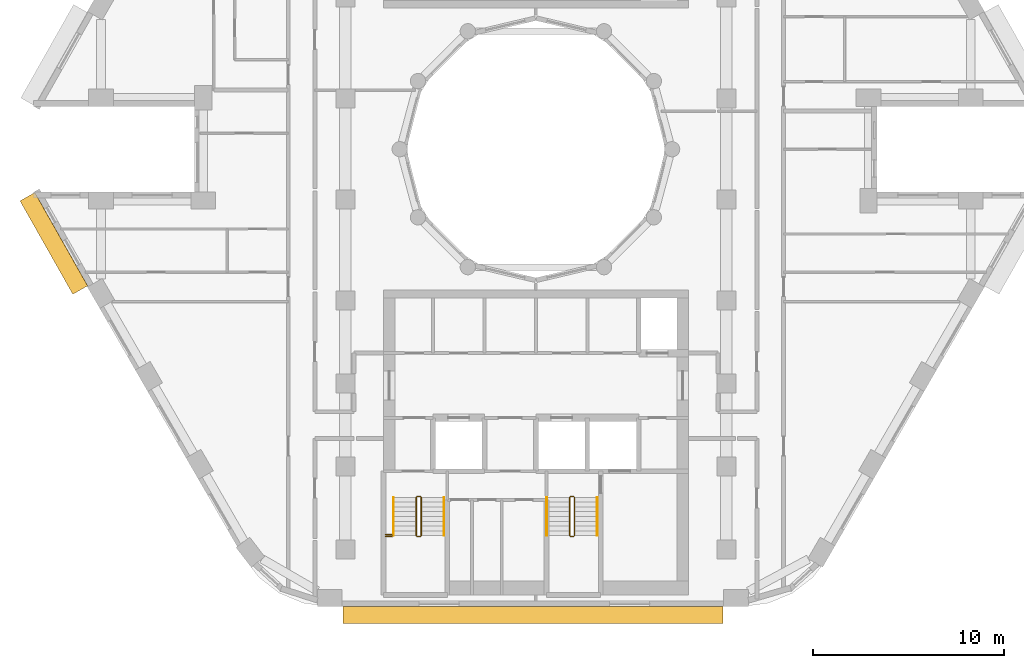
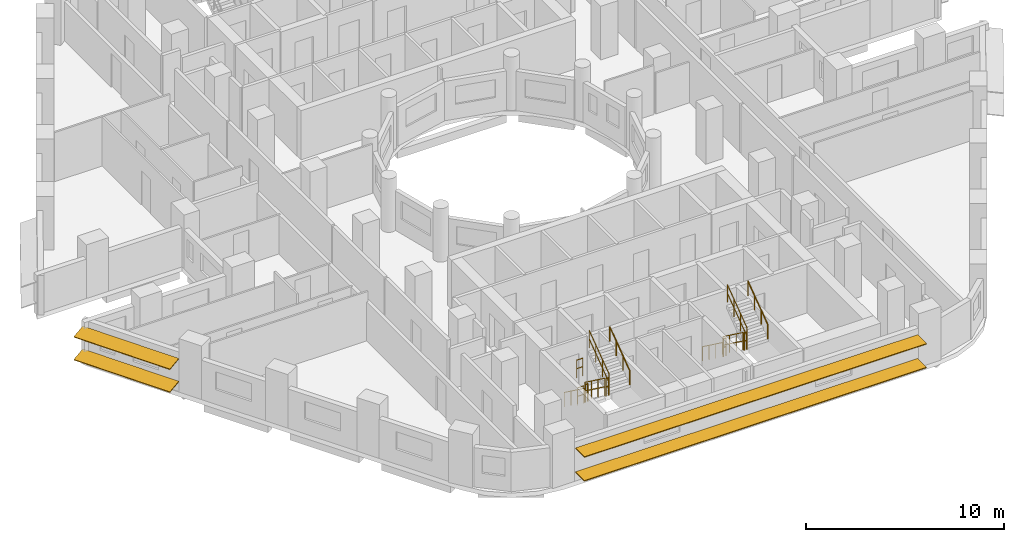
# One storey, part 12 of 14: 14 railings, 4 shading devices.
"""IFC4 building model written with IfcOpenShell, lengths in metres."""

from ifc_helpers import new_model, si_unit, direction, frame, origin, origin_2d, place, context, subcontext, project, spatial, rectangle, circle, extrude, material, material_profile, profile_set, type_object, element, save


model = new_model("IFC4")

# Units and contexts
model_context = context("Model", 3, precision=1e-05, world=origin(), true_north=direction((0.0, 1.0)))
body_context = subcontext(model_context, "Body", "Model", "MODEL_VIEW")
ifc_project = project(units=[si_unit("LENGTHUNIT", "METRE"), si_unit("AREAUNIT", "SQUARE_METRE"), si_unit("VOLUMEUNIT", "CUBIC_METRE"), si_unit("PLANEANGLEUNIT", "RADIAN"), si_unit("MASSUNIT", "GRAM", prefix="KILO")], contexts=[model_context])

# Site, building, storey
site_placement = place(None, origin())
site = spatial("IfcSite", under=ifc_project, at=site_placement, CompositionType="ELEMENT")
building_placement = place(site_placement, origin())
building = spatial("IfcBuilding", under=site, at=building_placement, Name="Nakaniwa Court", CompositionType="ELEMENT")
storey_placement = place(building_placement, frame((0.0, 0.0, 163.5)))
storey = spatial("IfcBuildingStorey", under=building, at=storey_placement, Name="L43", CompositionType="ELEMENT", Elevation=163.5)

# Shading devices
ifc_material_1 = material(Name="Perforated charcoal ceramic louvre blade")
ifc_material_profile = material_profile(ifc_material_1, rectangle(XDim=0.89990234375, YDim=0.050048828125, at=origin_2d()), Name="Perforated ceramic louvre blade")
ifc_profile_set = profile_set([ifc_material_profile], Name="Perforated charcoal ceramic louvre blade")
shading_device_type = type_object("IfcShadingDeviceType", Name="Perforated ceramic louvre blade", PredefinedType="JALOUSIE", material=ifc_profile_set)
for number, where, z_axis, x_axis, name in (
    (1, (53.31689453125, 77.5078125, 0.550048828125), (0.49253187421, -0.870294405869, 0.0), (0.862649339692, 0.488205247786, 0.132256390257), "L43 perforated ceramic louvre blade w20 1"),
    (2, (53.31689453125, 77.5078125, 1.955810546875), (0.49253187421, -0.870294405869, 0.0), (0.862649339692, 0.488205247786, 0.132256390257), "L43 perforated ceramic louvre blade w20 2"),
):
    element("IfcShadingDevice", number, at=place(storey_placement, frame(where, z_axis=z_axis, x_axis=x_axis)), inside=storey, type_object=shading_device_type, Name=name, PredefinedType="JALOUSIE", context=body_context, shape_type="SweptSolid", body=[
        extrude(rectangle(XDim=0.89990234375, YDim=0.050048828125, at=origin_2d()), origin(), (0.0, 0.0, 1.0), 5.62646484375),
    ])
for number, where, z_axis, x_axis, name in (
    (3, (69.871337890625, 55.550048828125, 0.550048828125), (1.0, 0.0, 0.0), (0.0, 1.0, 0.0), "L43 perforated ceramic louvre blade w26 1"),
    (4, (69.871337890625, 55.550048828125, 2.014892578125), (1.0, 0.0, 0.0), (0.0, 1.0, 0.0), "L43 perforated ceramic louvre blade w26 2"),
):
    element("IfcShadingDevice", number, at=place(storey_placement, frame(where, z_axis=z_axis, x_axis=x_axis)), inside=storey, type_object=shading_device_type, Name=name, PredefinedType="JALOUSIE", context=body_context, shape_type="SweptSolid", body=[
        extrude(rectangle(XDim=0.89990234375, YDim=0.050048828125, at=origin_2d()), origin(), (0.0, 0.0, 1.0), 19.939697265625),
    ])

# Railings
ifc_material_2 = material(Name="Black powder coated steel guard", Category="steel")
railing_type_1 = type_object("IfcRailingType", Name="Stair guard 1100", PredefinedType="GUARDRAIL", material=ifc_material_2)
railing_1_placement = place(storey_placement, frame((73.72509765625, 61.72509765625, 0.183349609375)))
element("IfcRailing", 5, at=railing_1_placement, inside=storey, type_object=railing_type_1, Name="L43 ST3 stair guard 1", PredefinedType="GUARDRAIL", context=body_context, shape_type="SweptSolid", body=[
    extrude(circle(Radius=0.02392578125, at=origin_2d()), frame((0.0, 0.0, 1.076171875), z_axis=(0.0, -0.806426902644, 0.591333789573), x_axis=(1.0, 0.0, 0.0)), (0.0, 0.0, 1.0), 2.47998046875),
    extrude(circle(Radius=0.02392578125, at=origin_2d()), frame((0.0, 0.0, 0.550048828125), z_axis=(0.0, -0.806426902644, 0.591333789573), x_axis=(1.0, 0.0, 0.0)), (0.0, 0.0, 1.0), 2.47998046875),
    extrude(circle(Radius=0.02099609375, at=origin_2d()), origin(), (0.0, 0.0, 1.0), 1.052001953125),
    extrude(circle(Radius=0.02099609375, at=origin_2d()), frame((0.0, -0.666748046875, 0.48876953125)), (0.0, 0.0, 1.0), 1.052001953125),
    extrude(circle(Radius=0.02099609375, at=origin_2d()), frame((0.0, -1.333251953125, 0.977783203125)), (0.0, 0.0, 1.0), 1.052001953125),
    extrude(circle(Radius=0.02099609375, at=origin_2d()), frame((0.0, -2.0, 1.466552734375)), (0.0, 0.0, 1.0), 1.052001953125),
])
railing_2_placement = place(storey_placement, frame((73.77490234375, 59.675048828125, 1.64990234375)))
element("IfcRailing", 6, at=railing_2_placement, inside=storey, type_object=railing_type_1, Name="L43 ST3 stair guard 2", PredefinedType="GUARDRAIL", context=body_context, shape_type="SweptSolid", body=[
    extrude(circle(Radius=0.02392578125, at=origin_2d()), frame((0.0, 0.0, 1.076171875), z_axis=(1.0, 0.0, 0.0), x_axis=(0.0, 1.0, 0.0)), (0.0, 0.0, 1.0), 0.150146484375),
    extrude(circle(Radius=0.02392578125, at=origin_2d()), frame((0.0, 0.0, 0.550048828125), z_axis=(1.0, 0.0, 0.0), x_axis=(0.0, 1.0, 0.0)), (0.0, 0.0, 1.0), 0.150146484375),
    extrude(circle(Radius=0.02099609375, at=origin_2d()), origin(), (0.0, 0.0, 1.0), 1.052001953125),
    extrude(circle(Radius=0.02099609375, at=origin_2d()), frame((0.150146484375, 0.0, 0.0)), (0.0, 0.0, 1.0), 1.052001953125),
])
railing_3_placement = place(storey_placement, frame((73.97509765625, 59.72509765625, 1.833251953125)))
element("IfcRailing", 7, at=railing_3_placement, inside=storey, type_object=railing_type_1, Name="L43 ST3 stair guard 3", PredefinedType="GUARDRAIL", context=body_context, shape_type="SweptSolid", body=[
    extrude(circle(Radius=0.02392578125, at=origin_2d()), frame((0.0, 0.0, 1.076171875), z_axis=(0.0, 0.806379959628, 0.591397802423), x_axis=(-1.0, 0.0, 0.0)), (0.0, 0.0, 1.0), 2.480224609375),
    extrude(circle(Radius=0.02392578125, at=origin_2d()), frame((0.0, 0.0, 0.550048828125), z_axis=(0.0, 0.806379959628, 0.591397802423), x_axis=(-1.0, 0.0, 0.0)), (0.0, 0.0, 1.0), 2.480224609375),
    extrude(circle(Radius=0.02099609375, at=origin_2d()), origin(), (0.0, 0.0, 1.0), 1.052001953125),
    extrude(circle(Radius=0.02099609375, at=origin_2d()), frame((0.0, 0.666748046875, 0.489013671875)), (0.0, 0.0, 1.0), 1.052001953125),
    extrude(circle(Radius=0.02099609375, at=origin_2d()), frame((0.0, 1.333251953125, 0.977783203125)), (0.0, 0.0, 1.0), 1.052001953125),
    extrude(circle(Radius=0.02099609375, at=origin_2d()), frame((0.0, 2.0, 1.466796875)), (0.0, 0.0, 1.0), 1.052001953125),
])
railing_4_placement = place(storey_placement, frame((73.77490234375, 61.77490234375, 0.0)))
element("IfcRailing", 8, at=railing_4_placement, inside=storey, type_object=railing_type_1, Name="L43 ST3 stair guard 4", PredefinedType="GUARDRAIL", context=body_context, shape_type="SweptSolid", body=[
    extrude(circle(Radius=0.02392578125, at=origin_2d()), frame((0.0, 0.0, 1.076171875), z_axis=(1.0, 0.0, 0.0), x_axis=(0.0, 1.0, 0.0)), (0.0, 0.0, 1.0), 0.150146484375),
    extrude(circle(Radius=0.02392578125, at=origin_2d()), frame((0.0, 0.0, 0.550048828125), z_axis=(1.0, 0.0, 0.0), x_axis=(0.0, 1.0, 0.0)), (0.0, 0.0, 1.0), 0.150146484375),
    extrude(circle(Radius=0.02099609375, at=origin_2d()), origin(), (0.0, 0.0, 1.0), 1.052001953125),
    extrude(circle(Radius=0.02099609375, at=origin_2d()), frame((0.150146484375, 0.0, 0.0)), (0.0, 0.0, 1.0), 1.052001953125),
])
for number, where, name in (
    (9, (72.125, 59.675048828125, 1.64990234375), "L43 ST3 landing side guard 1W"),
    (10, (72.125, 59.77490234375, 3.300048828125), "L43 ST3 floor edge guard 1W"),
):
    element("IfcRailing", number, at=place(storey_placement, frame(where)), inside=storey, type_object=railing_type_1, Name=name, PredefinedType="GUARDRAIL", context=body_context, shape_type="SweptSolid", body=[
        extrude(circle(Radius=0.02392578125, at=origin_2d()), frame((0.0, 0.0, 1.076171875), z_axis=(1.0, 0.0, 0.0), x_axis=(0.0, 1.0, 0.0)), (0.0, 0.0, 1.0), 0.35009765625),
        extrude(circle(Radius=0.02392578125, at=origin_2d()), frame((0.0, 0.0, 0.550048828125), z_axis=(1.0, 0.0, 0.0), x_axis=(0.0, 1.0, 0.0)), (0.0, 0.0, 1.0), 0.35009765625),
        extrude(circle(Radius=0.02099609375, at=origin_2d()), origin(), (0.0, 0.0, 1.0), 1.052001953125),
        extrude(circle(Radius=0.02099609375, at=origin_2d()), frame((0.35009765625, 0.0, 0.0)), (0.0, 0.0, 1.0), 1.052001953125),
    ])
railing_5_placement = place(storey_placement, frame((81.77490234375, 61.72509765625, 0.183349609375)))
element("IfcRailing", 11, at=railing_5_placement, inside=storey, type_object=railing_type_1, Name="L43 ST4 stair guard 1", PredefinedType="GUARDRAIL", context=body_context, shape_type="SweptSolid", body=[
    extrude(circle(Radius=0.02392578125, at=origin_2d()), frame((0.0, 0.0, 1.076171875), z_axis=(0.0, -0.806426902644, 0.591333789573), x_axis=(1.0, 0.0, 0.0)), (0.0, 0.0, 1.0), 2.47998046875),
    extrude(circle(Radius=0.02392578125, at=origin_2d()), frame((0.0, 0.0, 0.550048828125), z_axis=(0.0, -0.806426902644, 0.591333789573), x_axis=(1.0, 0.0, 0.0)), (0.0, 0.0, 1.0), 2.47998046875),
    extrude(circle(Radius=0.02099609375, at=origin_2d()), origin(), (0.0, 0.0, 1.0), 1.052001953125),
    extrude(circle(Radius=0.02099609375, at=origin_2d()), frame((0.0, -0.666748046875, 0.48876953125)), (0.0, 0.0, 1.0), 1.052001953125),
    extrude(circle(Radius=0.02099609375, at=origin_2d()), frame((0.0, -1.333251953125, 0.977783203125)), (0.0, 0.0, 1.0), 1.052001953125),
    extrude(circle(Radius=0.02099609375, at=origin_2d()), frame((0.0, -2.0, 1.466552734375)), (0.0, 0.0, 1.0), 1.052001953125),
])
railing_6_placement = place(storey_placement, frame((81.824951171875, 59.675048828125, 1.64990234375)))
element("IfcRailing", 12, at=railing_6_placement, inside=storey, type_object=railing_type_1, Name="L43 ST4 stair guard 2", PredefinedType="GUARDRAIL", context=body_context, shape_type="SweptSolid", body=[
    extrude(circle(Radius=0.02392578125, at=origin_2d()), frame((0.0, 0.0, 1.076171875), z_axis=(1.0, 0.0, 0.0), x_axis=(0.0, 1.0, 0.0)), (0.0, 0.0, 1.0), 0.150146484375),
    extrude(circle(Radius=0.02392578125, at=origin_2d()), frame((0.0, 0.0, 0.550048828125), z_axis=(1.0, 0.0, 0.0), x_axis=(0.0, 1.0, 0.0)), (0.0, 0.0, 1.0), 0.150146484375),
    extrude(circle(Radius=0.02099609375, at=origin_2d()), origin(), (0.0, 0.0, 1.0), 1.052001953125),
    extrude(circle(Radius=0.02099609375, at=origin_2d()), frame((0.150146484375, 0.0, 0.0)), (0.0, 0.0, 1.0), 1.052001953125),
])
railing_7_placement = place(storey_placement, frame((82.02490234375, 59.72509765625, 1.833251953125)))
element("IfcRailing", 13, at=railing_7_placement, inside=storey, type_object=railing_type_1, Name="L43 ST4 stair guard 3", PredefinedType="GUARDRAIL", context=body_context, shape_type="SweptSolid", body=[
    extrude(circle(Radius=0.02392578125, at=origin_2d()), frame((0.0, 0.0, 1.076171875), z_axis=(0.0, 0.806379959628, 0.591397802423), x_axis=(-1.0, 0.0, 0.0)), (0.0, 0.0, 1.0), 2.480224609375),
    extrude(circle(Radius=0.02392578125, at=origin_2d()), frame((0.0, 0.0, 0.550048828125), z_axis=(0.0, 0.806379959628, 0.591397802423), x_axis=(-1.0, 0.0, 0.0)), (0.0, 0.0, 1.0), 2.480224609375),
    extrude(circle(Radius=0.02099609375, at=origin_2d()), origin(), (0.0, 0.0, 1.0), 1.052001953125),
    extrude(circle(Radius=0.02099609375, at=origin_2d()), frame((0.0, 0.666748046875, 0.489013671875)), (0.0, 0.0, 1.0), 1.052001953125),
    extrude(circle(Radius=0.02099609375, at=origin_2d()), frame((0.0, 1.333251953125, 0.977783203125)), (0.0, 0.0, 1.0), 1.052001953125),
    extrude(circle(Radius=0.02099609375, at=origin_2d()), frame((0.0, 2.0, 1.466796875)), (0.0, 0.0, 1.0), 1.052001953125),
])
railing_8_placement = place(storey_placement, frame((81.824951171875, 61.77490234375, 0.0)))
element("IfcRailing", 14, at=railing_8_placement, inside=storey, type_object=railing_type_1, Name="L43 ST4 stair guard 4", PredefinedType="GUARDRAIL", context=body_context, shape_type="SweptSolid", body=[
    extrude(circle(Radius=0.02392578125, at=origin_2d()), frame((0.0, 0.0, 1.076171875), z_axis=(1.0, 0.0, 0.0), x_axis=(0.0, 1.0, 0.0)), (0.0, 0.0, 1.0), 0.150146484375),
    extrude(circle(Radius=0.02392578125, at=origin_2d()), frame((0.0, 0.0, 0.550048828125), z_axis=(1.0, 0.0, 0.0), x_axis=(0.0, 1.0, 0.0)), (0.0, 0.0, 1.0), 0.150146484375),
    extrude(circle(Radius=0.02099609375, at=origin_2d()), origin(), (0.0, 0.0, 1.0), 1.052001953125),
    extrude(circle(Radius=0.02099609375, at=origin_2d()), frame((0.150146484375, 0.0, 0.0)), (0.0, 0.0, 1.0), 1.052001953125),
])
ifc_material_3 = material(Name="Black powder coated steel handrail", Category="steel")
railing_type_2 = type_object("IfcRailingType", Name="Stair handrail 900", PredefinedType="HANDRAIL", material=ifc_material_3)
railing_9_placement = place(storey_placement, frame((72.52490234375, 61.72509765625, 0.183349609375)))
element("IfcRailing", 15, at=railing_9_placement, inside=storey, type_object=railing_type_2, Name="L43 ST3 stair handrail 1", PredefinedType="HANDRAIL", context=body_context, shape_type="SweptSolid", body=[
    extrude(circle(Radius=0.02392578125, at=origin_2d()), frame((0.0, 0.0, 0.8759765625), z_axis=(0.0, -0.806426902644, 0.591333789573), x_axis=(1.0, 0.0, 0.0)), (0.0, 0.0, 1.0), 2.47998046875),
    extrude(circle(Radius=0.02099609375, at=origin_2d()), origin(), (0.0, 0.0, 1.0), 0.851806640625),
    extrude(circle(Radius=0.02099609375, at=origin_2d()), frame((0.0, -0.666748046875, 0.48876953125)), (0.0, 0.0, 1.0), 0.851806640625),
    extrude(circle(Radius=0.02099609375, at=origin_2d()), frame((0.0, -1.333251953125, 0.977783203125)), (0.0, 0.0, 1.0), 0.851806640625),
    extrude(circle(Radius=0.02099609375, at=origin_2d()), frame((0.0, -2.0, 1.466552734375)), (0.0, 0.0, 1.0), 0.851806640625),
])
railing_10_placement = place(storey_placement, frame((75.175048828125, 59.72509765625, 1.833251953125)))
element("IfcRailing", 16, at=railing_10_placement, inside=storey, type_object=railing_type_2, Name="L43 ST3 stair handrail 2", PredefinedType="HANDRAIL", context=body_context, shape_type="SweptSolid", body=[
    extrude(circle(Radius=0.02392578125, at=origin_2d()), frame((0.0, 0.0, 0.8759765625), z_axis=(0.0, 0.806379959628, 0.591397802423), x_axis=(-1.0, 0.0, 0.0)), (0.0, 0.0, 1.0), 2.480224609375),
    extrude(circle(Radius=0.02099609375, at=origin_2d()), origin(), (0.0, 0.0, 1.0), 0.851806640625),
    extrude(circle(Radius=0.02099609375, at=origin_2d()), frame((0.0, 0.666748046875, 0.489013671875)), (0.0, 0.0, 1.0), 0.851806640625),
    extrude(circle(Radius=0.02099609375, at=origin_2d()), frame((0.0, 1.333251953125, 0.977783203125)), (0.0, 0.0, 1.0), 0.851806640625),
    extrude(circle(Radius=0.02099609375, at=origin_2d()), frame((0.0, 2.0, 1.466796875)), (0.0, 0.0, 1.0), 0.851806640625),
])
railing_11_placement = place(storey_placement, frame((80.574951171875, 61.72509765625, 0.183349609375)))
element("IfcRailing", 17, at=railing_11_placement, inside=storey, type_object=railing_type_2, Name="L43 ST4 stair handrail 1", PredefinedType="HANDRAIL", context=body_context, shape_type="SweptSolid", body=[
    extrude(circle(Radius=0.02392578125, at=origin_2d()), frame((0.0, 0.0, 0.8759765625), z_axis=(0.0, -0.806426902644, 0.591333789573), x_axis=(1.0, 0.0, 0.0)), (0.0, 0.0, 1.0), 2.47998046875),
    extrude(circle(Radius=0.02099609375, at=origin_2d()), origin(), (0.0, 0.0, 1.0), 0.851806640625),
    extrude(circle(Radius=0.02099609375, at=origin_2d()), frame((0.0, -0.666748046875, 0.48876953125)), (0.0, 0.0, 1.0), 0.851806640625),
    extrude(circle(Radius=0.02099609375, at=origin_2d()), frame((0.0, -1.333251953125, 0.977783203125)), (0.0, 0.0, 1.0), 0.851806640625),
    extrude(circle(Radius=0.02099609375, at=origin_2d()), frame((0.0, -2.0, 1.466552734375)), (0.0, 0.0, 1.0), 0.851806640625),
])
railing_12_placement = place(storey_placement, frame((83.22509765625, 59.72509765625, 1.833251953125)))
element("IfcRailing", 18, at=railing_12_placement, inside=storey, type_object=railing_type_2, Name="L43 ST4 stair handrail 2", PredefinedType="HANDRAIL", context=body_context, shape_type="SweptSolid", body=[
    extrude(circle(Radius=0.02392578125, at=origin_2d()), frame((0.0, 0.0, 0.8759765625), z_axis=(0.0, 0.806379959628, 0.591397802423), x_axis=(-1.0, 0.0, 0.0)), (0.0, 0.0, 1.0), 2.480224609375),
    extrude(circle(Radius=0.02099609375, at=origin_2d()), origin(), (0.0, 0.0, 1.0), 0.851806640625),
    extrude(circle(Radius=0.02099609375, at=origin_2d()), frame((0.0, 0.666748046875, 0.489013671875)), (0.0, 0.0, 1.0), 0.851806640625),
    extrude(circle(Radius=0.02099609375, at=origin_2d()), frame((0.0, 1.333251953125, 0.977783203125)), (0.0, 0.0, 1.0), 0.851806640625),
    extrude(circle(Radius=0.02099609375, at=origin_2d()), frame((0.0, 2.0, 1.466796875)), (0.0, 0.0, 1.0), 0.851806640625),
])

save(model, "model.ifc")
